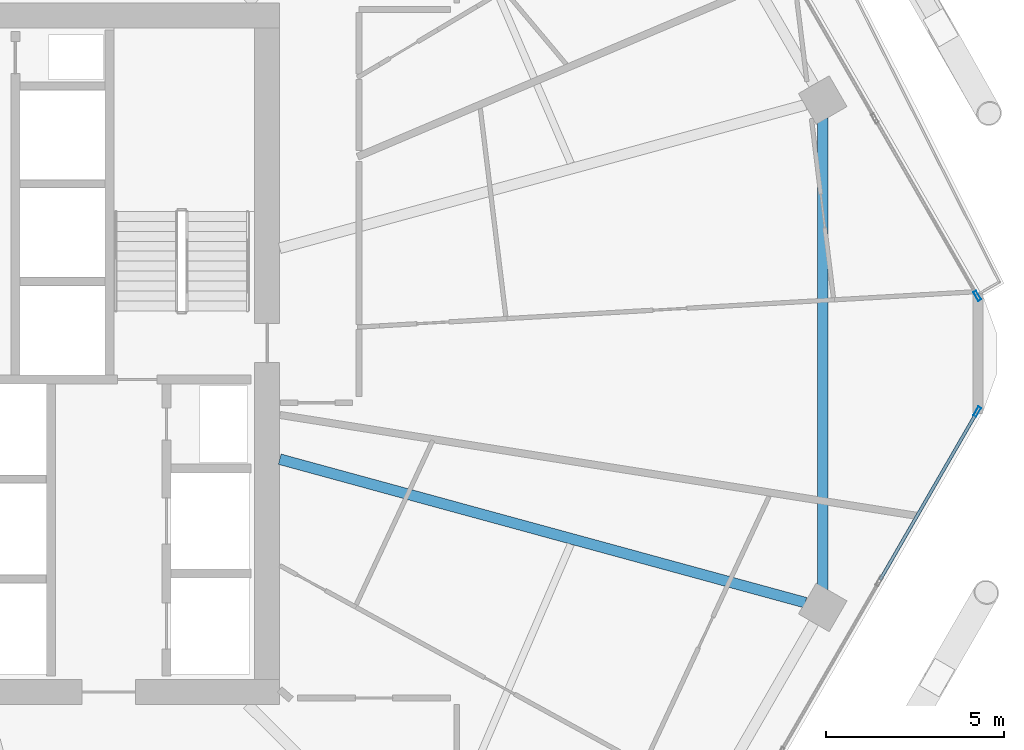
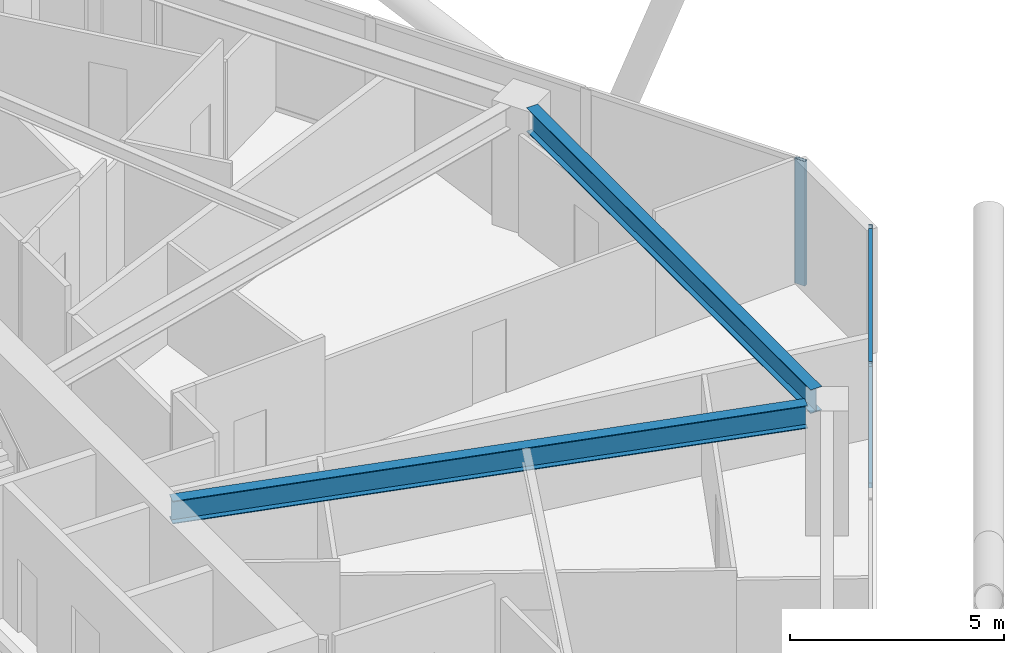
# One storey, part 9 of 28: 4 members, 2 beams, 2 elements without a shape of their own.
"""IFC4 building model written with IfcOpenShell, lengths in metres."""

from ifc_helpers import new_model, si_unit, direction, frame, origin, origin_2d, place, context, subcontext, project, spatial, hollow_rectangle, i_section, extrude, material, material_profile, profile_set, type_object, element, aggregate, save


model = new_model("IFC4")

# Units and contexts
model_context = context("Model", 3, precision=1e-05, world=origin(), true_north=direction((0.0, 1.0)))
body_context = subcontext(model_context, "Body", "Model", "MODEL_VIEW")
ifc_project = project(units=[si_unit("LENGTHUNIT", "METRE"), si_unit("AREAUNIT", "SQUARE_METRE"), si_unit("VOLUMEUNIT", "CUBIC_METRE"), si_unit("PLANEANGLEUNIT", "RADIAN"), si_unit("MASSUNIT", "GRAM", prefix="KILO")], contexts=[model_context])

# Site, building, storey
site_placement = place(None, origin())
site = spatial("IfcSite", under=ifc_project, at=site_placement, CompositionType="ELEMENT")
building_placement = place(site_placement, origin())
building = spatial("IfcBuilding", under=site, at=building_placement, Name="Zuhravey Tower", CompositionType="ELEMENT")
storey_placement = place(building_placement, frame((0.0, 0.0, 169.39990234375)))
storey = spatial("IfcBuildingStorey", under=building, at=storey_placement, Name="L42", CompositionType="ELEMENT", Elevation=169.39990234375)

# Curtain wall, member
ifc_material_1 = material(Name="Thermally broken anodised aluminium", Category="aluminium")
curtain_wall_type = type_object("IfcCurtainWallType", Name="Zone 1-2 Residential Curtain Wall CW3", PredefinedType="NOTDEFINED", material=ifc_material_1)
curtain_wall_1_placement = place(storey_placement, origin())
curtain_wall_1 = element("IfcCurtainWall", 1, at=curtain_wall_1_placement, inside=storey, type_object=curtain_wall_type, Name="L42 CW3 CW-L42-F6-1", PredefinedType="NOTDEFINED")
ifc_material_2 = material(Name="Anodised aluminium", Category="aluminium")
ifc_material_profile_1 = material_profile(ifc_material_2, hollow_rectangle(XDim=0.090087890625, YDim=0.284912109375, WallThickness=0.0048828125, at=origin_2d()), Name="ALU-RHS-90x285x5")
ifc_profile_set_1 = profile_set([ifc_material_profile_1], Name="Anodised aluminium")
member_type_1 = type_object("IfcMemberType", Name="Curtain-Wall Mullion 90x180", PredefinedType="MULLION", material=ifc_profile_set_1)
member_1_placement = place(storey_placement, frame((66.44921875, 30.37353515625, 0.0), z_axis=(0.0, 0.0, 1.0), x_axis=(0.866025138215, -0.500000459979, 0.0)))
member_1 = element("IfcMember", 2, at=member_1_placement, type_object=member_type_1, Name="CW3 mullion 1", PredefinedType="MULLION", context=body_context, shape_type="SweptSolid", body=[
    extrude(hollow_rectangle(XDim=0.090087890625, YDim=0.284912109375, WallThickness=0.0048828125, at=origin_2d()), origin(), (0.0, 0.0, 1.0), 3.550048828125),
])

curtain_wall_2_placement = place(storey_placement, origin())
curtain_wall_2 = element("IfcCurtainWall", 3, at=curtain_wall_2_placement, inside=storey, type_object=curtain_wall_type, Name="L42 CW3 CW-L42-F1-2", PredefinedType="NOTDEFINED")
member_2_placement = place(storey_placement, frame((66.44921875, 33.62646484375, 0.0), z_axis=(0.0, 0.0, 1.0), x_axis=(0.866025982439, 0.499998997739, 0.0)))
member_2 = element("IfcMember", 4, at=member_2_placement, type_object=member_type_1, Name="CW3 mullion 4", PredefinedType="MULLION", context=body_context, shape_type="SweptSolid", body=[
    extrude(hollow_rectangle(XDim=0.090087890625, YDim=0.284912109375, WallThickness=0.0048828125, at=origin_2d()), origin(), (0.0, 0.0, 1.0), 3.550048828125),
])
aggregate(curtain_wall_2, [member_2])

# Member
ifc_material_profile_2 = material_profile(ifc_material_2, hollow_rectangle(XDim=0.090087890625, YDim=0.14990234375, WallThickness=0.0048828125, at=origin_2d()), Name="ALU-RHS-90x150x5")
ifc_profile_set_2 = profile_set([ifc_material_profile_2], Name="Anodised aluminium")
member_type_2 = type_object("IfcMemberType", Name="Curtain-Wall Transom 90x150", PredefinedType="USERDEFINED", material=ifc_profile_set_2)
member_3_placement = place(storey_placement, frame((66.4267578125, 30.33447265625, 0.045166015625), z_axis=(-0.499993332629, -0.866029253159, 0.0), x_axis=(0.866029253159, -0.499993332629, 0.0)))
member_3 = element("IfcMember", 5, at=member_3_placement, type_object=member_type_2, Name="CW3 transom 1.1", ObjectType="TRANSOM", PredefinedType="USERDEFINED", context=body_context, shape_type="SweptSolid", body=[
    extrude(hollow_rectangle(XDim=0.090087890625, YDim=0.14990234375, WallThickness=0.0048828125, at=origin_2d()), origin(), (0.0, 0.0, 1.0), 5.4091796875),
])

member_4_placement = place(storey_placement, frame((66.4267578125, 30.33447265625, 3.505126953125), z_axis=(-0.499993332629, -0.866029253159, 0.0), x_axis=(0.866029253159, -0.499993332629, 0.0)))
member_4 = element("IfcMember", 6, at=member_4_placement, type_object=member_type_2, Name="CW3 transom 1.2", ObjectType="TRANSOM", PredefinedType="USERDEFINED", context=body_context, shape_type="SweptSolid", body=[
    extrude(hollow_rectangle(XDim=0.090087890625, YDim=0.14990234375, WallThickness=0.0048828125, at=origin_2d()), origin(), (0.0, 0.0, 1.0), 5.4091796875),
])

aggregate(curtain_wall_1, [member_1, member_3, member_4])

# Beams
ifc_material_3 = material(Name="Steel SM355", Category="steel")
ifc_material_profile_3 = material_profile(ifc_material_3, i_section(OverallWidth=0.300048828125, OverallDepth=0.679931640625, WebThickness=0.012939453125, FlangeThickness=0.02197265625, at=origin_2d()), Name="H-680x300x13x22")
ifc_profile_set_3 = profile_set([ifc_material_profile_3], Name="Steel SM355")
beam_type_1 = type_object("IfcBeamType", Name="Perimeter Ring Beam H680x300", PredefinedType="BEAM", material=ifc_profile_set_3)
beam_1_placement = place(storey_placement, frame((62.107666015625, 25.37646484375, 3.210205078125), z_axis=(0.0, 1.0, 0.0), x_axis=(-1.0, 0.0, 0.0)))
element("IfcBeam", 7, at=beam_1_placement, inside=storey, type_object=beam_type_1, Name="L42 PB2 BM-L42-PB-12", PredefinedType="BEAM", context=body_context, shape_type="SweptSolid", body=[
    extrude(i_section(OverallWidth=0.300048828125, OverallDepth=0.679931640625, WebThickness=0.012939453125, FlangeThickness=0.02197265625, at=origin_2d()), origin(), (0.0, 0.0, 1.0), 13.2470703125),
])
ifc_material_profile_4 = material_profile(ifc_material_3, i_section(OverallWidth=0.300048828125, OverallDepth=0.64990234375, WebThickness=0.012939453125, FlangeThickness=0.02197265625, at=origin_2d()), Name="H-650x300x13x22")
ifc_profile_set_4 = profile_set([ifc_material_profile_4], Name="Steel SM355")
beam_type_2 = type_object("IfcBeamType", Name="Radial Primary Girder H650x300", PredefinedType="BEAM", material=ifc_profile_set_4)
beam_2_placement = place(storey_placement, frame((46.85302734375, 29.03759765625, 3.22509765625), z_axis=(0.964701601771, -0.263345437667, 0.0), x_axis=(0.263345437667, 0.964701601771, 0.0)))
element("IfcBeam", 8, at=beam_2_placement, inside=storey, type_object=beam_type_2, Name="L42 RG2 BM-L42-RAD-12", PredefinedType="BEAM", context=body_context, shape_type="SweptSolid", body=[
    extrude(i_section(OverallWidth=0.300048828125, OverallDepth=0.64990234375, WebThickness=0.012939453125, FlangeThickness=0.02197265625, at=origin_2d()), origin(), (0.0, 0.0, 1.0), 15.309814453125),
])

save(model, "model.ifc")
